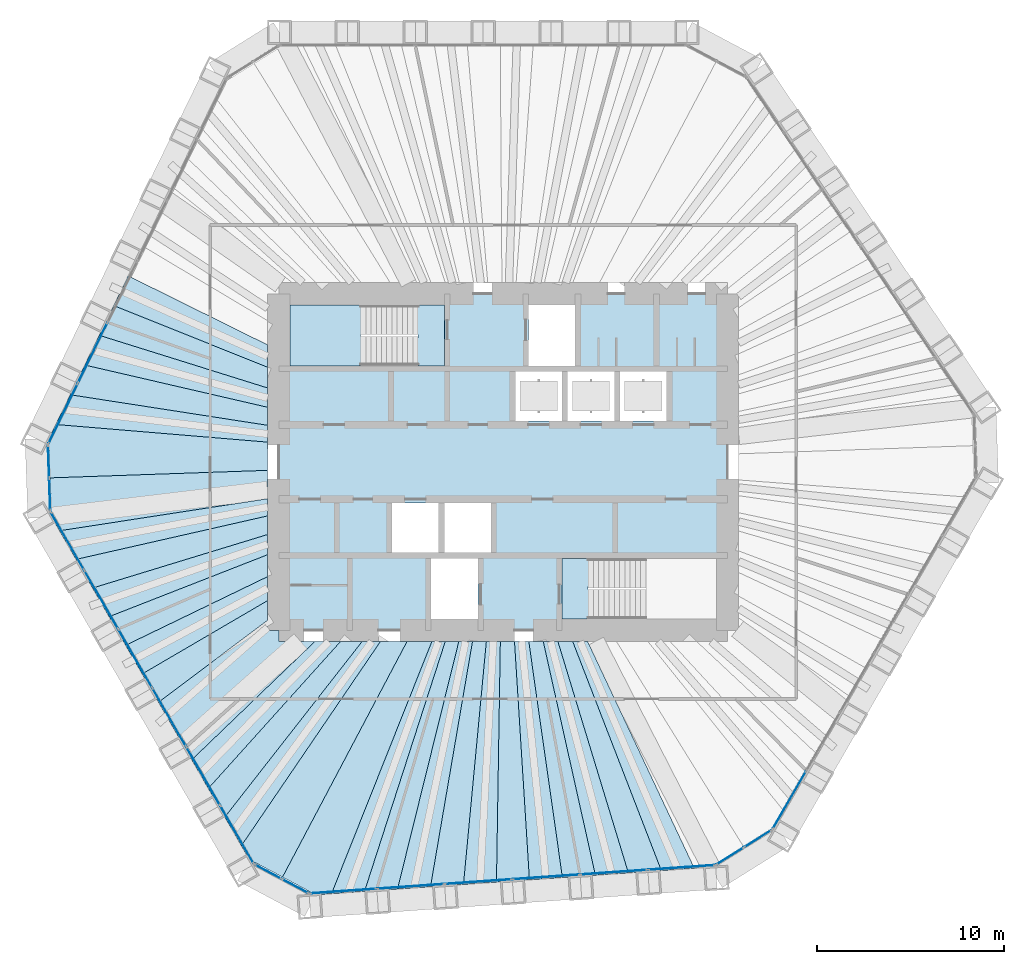
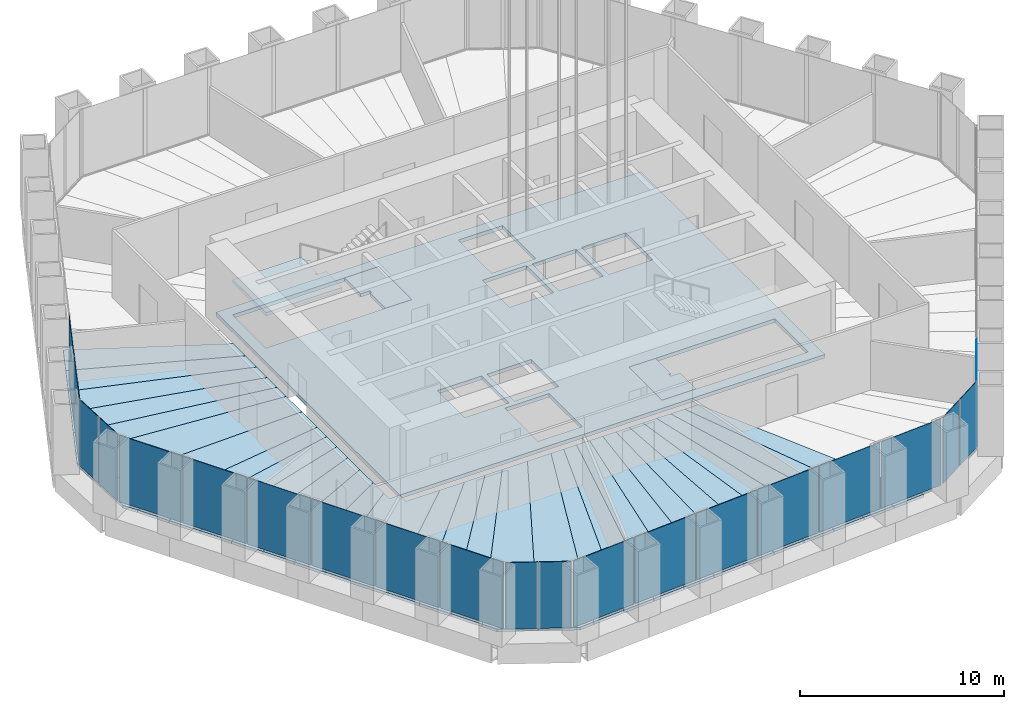
# One storey, part 8 of 20: 34 slabs, 21 plates, 9 elements without a shape of their own.
"""IFC4 building model written with IfcOpenShell, lengths in metres."""

from ifc_helpers import new_model, si_unit, direction, frame, origin, origin_2d, place, context, subcontext, project, spatial, polyline, rectangle, outline, extrude, material, layer, layer_set, type_object, element, aggregate, save


model = new_model("IFC4")

# Units and contexts
model_context = context("Model", 3, precision=1e-05, world=origin(), true_north=direction((0.0, 1.0)))
body_context = subcontext(model_context, "Body", "Model", "MODEL_VIEW")
ifc_project = project(units=[si_unit("LENGTHUNIT", "METRE"), si_unit("AREAUNIT", "SQUARE_METRE"), si_unit("VOLUMEUNIT", "CUBIC_METRE"), si_unit("PLANEANGLEUNIT", "RADIAN"), si_unit("MASSUNIT", "GRAM", prefix="KILO")], contexts=[model_context])

# Site, building, storey
site_placement = place(None, origin())
site = spatial("IfcSite", under=ifc_project, at=site_placement, CompositionType="ELEMENT")
building_placement = place(site_placement, origin())
building = spatial("IfcBuilding", under=site, at=building_placement, Name="Qingtian Harvest Tower", CompositionType="ELEMENT")
storey_placement = place(building_placement, frame((0.0, 0.0, 180.39990234375)))
storey = spatial("IfcBuildingStorey", under=building, at=storey_placement, Name="L38", CompositionType="ELEMENT", Elevation=180.39990234375)

# Slabs
ifc_material_1 = material(Name="Concrete fc' 35 MPa", Category="concrete")
ifc_layer_1 = layer(ifc_material_1, 0.169921875)
ifc_layer_set_1 = layer_set([ifc_layer_1], Name="Composite floor slab FS17 170")
slab_type_1 = type_object("IfcSlabType", Name="Composite floor slab FS17 170", PredefinedType="FLOOR", material=ifc_layer_set_1)
slab_1_placement = place(storey_placement, frame((0.0, 0.0, -0.169921875)))
element("IfcSlab", 1, at=slab_1_placement, inside=storey, type_object=slab_type_1, Name="Floor slab L38 panel D01", PredefinedType="FLOOR", context=body_context, shape_type="SweptSolid", body=[
    extrude(outline(polyline([(-24.233642578125, -0.846435546875), (-12.60009765625, -0.443115234375), (-12.60009765625, -1.958984375), (-23.748046875, -3.677001953125), (-24.15966796875, -2.964111328125), (-24.233642578125, -0.846435546875)])), origin(), (0.0, 0.0, 1.0), 0.169921875),
])
slab_2_placement = place(storey_placement, frame((0.0, 0.0, -0.169921875)))
element("IfcSlab", 2, at=slab_2_placement, inside=storey, type_object=slab_type_1, Name="Floor slab L38 panel D02", PredefinedType="FLOOR", context=body_context, shape_type="SweptSolid", body=[
    extrude(outline(polyline([(-12.60009765625, -2.880126953125), (-22.86328125, -5.209716796875), (-23.748046875, -3.677001953125), (-12.60009765625, -1.958984375), (-12.60009765625, -2.880126953125)])), origin(), (0.0, 0.0, 1.0), 0.169921875),
])
slab_3_placement = place(storey_placement, frame((0.0, 0.0, -0.169921875)))
element("IfcSlab", 3, at=slab_3_placement, inside=storey, type_object=slab_type_1, Name="Floor slab L38 panel D03", PredefinedType="FLOOR", context=body_context, shape_type="SweptSolid", body=[
    extrude(outline(polyline([(-12.60009765625, -3.87548828125), (-21.978271484375, -6.742431640625), (-22.86328125, -5.209716796875), (-12.60009765625, -2.880126953125), (-12.60009765625, -3.87548828125)])), origin(), (0.0, 0.0, 1.0), 0.169921875),
])
slab_4_placement = place(storey_placement, frame((0.0, 0.0, -0.169921875)))
element("IfcSlab", 4, at=slab_4_placement, inside=storey, type_object=slab_type_1, Name="Floor slab L38 panel D04", PredefinedType="FLOOR", context=body_context, shape_type="SweptSolid", body=[
    extrude(outline(polyline([(-12.60009765625, -4.95458984375), (-21.09326171875, -8.275146484375), (-21.978271484375, -6.742431640625), (-12.60009765625, -3.87548828125), (-12.60009765625, -4.95458984375)])), origin(), (0.0, 0.0, 1.0), 0.169921875),
])
slab_5_placement = place(storey_placement, frame((0.0, 0.0, -0.169921875)))
element("IfcSlab", 5, at=slab_5_placement, inside=storey, type_object=slab_type_1, Name="Floor slab L38 panel D05", PredefinedType="FLOOR", context=body_context, shape_type="SweptSolid", body=[
    extrude(outline(polyline([(-12.60009765625, -6.128173828125), (-20.20849609375, -9.80810546875), (-21.09326171875, -8.275146484375), (-12.60009765625, -4.95458984375), (-12.60009765625, -6.128173828125)])), origin(), (0.0, 0.0, 1.0), 0.169921875),
])
slab_6_placement = place(storey_placement, frame((0.0, 0.0, -0.169921875)))
element("IfcSlab", 6, at=slab_6_placement, inside=storey, type_object=slab_type_1, Name="Floor slab L38 panel D06", PredefinedType="FLOOR", context=body_context, shape_type="SweptSolid", body=[
    extrude(outline(polyline([(-12.60009765625, -7.409423828125), (-19.323486328125, -11.3408203125), (-20.20849609375, -9.80810546875), (-12.60009765625, -6.128173828125), (-12.60009765625, -7.409423828125)])), origin(), (0.0, 0.0, 1.0), 0.169921875),
])
slab_7_placement = place(storey_placement, frame((0.0, 0.0, -0.169921875)))
element("IfcSlab", 7, at=slab_7_placement, inside=storey, type_object=slab_type_1, Name="Floor slab L38 panel D07", PredefinedType="FLOOR", context=body_context, shape_type="SweptSolid", body=[
    extrude(outline(polyline([(-12.60009765625, -8.46435546875), (-18.449462890625, -12.854736328125), (-19.323486328125, -11.3408203125), (-12.60009765625, -7.409423828125), (-12.60009765625, -8.46435546875)])), origin(), (0.0, 0.0, 1.0), 0.169921875),
])
slab_8_placement = place(storey_placement, frame((0.0, 0.0, -0.169921875)))
element("IfcSlab", 8, at=slab_8_placement, inside=storey, type_object=slab_type_1, Name="Floor slab L38 panel D09", PredefinedType="FLOOR", context=body_context, shape_type="SweptSolid", body=[
    extrude(outline(polyline([(-16.670166015625, -15.9365234375), (-18.449462890625, -12.854736328125), (-12.60009765625, -8.46435546875), (-12.60009765625, -9.0), (-12.0, -9.0), (-12.0, -9.60009765625), (-10.07666015625, -9.60009765625), (-16.670166015625, -15.9365234375)])), origin(), (0.0, 0.0, 1.0), 0.169921875),
])
slab_9_placement = place(storey_placement, frame((0.0, 0.0, -0.169921875)))
element("IfcSlab", 9, at=slab_9_placement, inside=storey, type_object=slab_type_1, Name="Floor slab L38 panel D10", PredefinedType="FLOOR", context=body_context, shape_type="SweptSolid", body=[
    extrude(outline(polyline([(-8.700927734375, -9.60009765625), (-15.784912109375, -17.4697265625), (-16.670166015625, -15.9365234375), (-10.07666015625, -9.60009765625), (-8.700927734375, -9.60009765625)])), origin(), (0.0, 0.0, 1.0), 0.169921875),
])
slab_10_placement = place(storey_placement, frame((0.0, 0.0, -0.169921875)))
element("IfcSlab", 10, at=slab_10_placement, inside=storey, type_object=slab_type_1, Name="Floor slab L38 panel D11", PredefinedType="FLOOR", context=body_context, shape_type="SweptSolid", body=[
    extrude(outline(polyline([(-7.548095703125, -9.60009765625), (-14.89990234375, -19.00244140625), (-15.784912109375, -17.4697265625), (-8.700927734375, -9.60009765625), (-7.548095703125, -9.60009765625)])), origin(), (0.0, 0.0, 1.0), 0.169921875),
])
slab_11_placement = place(storey_placement, frame((0.0, 0.0, -0.169921875)))
element("IfcSlab", 11, at=slab_11_placement, inside=storey, type_object=slab_type_1, Name="Floor slab L38 panel D12", PredefinedType="FLOOR", context=body_context, shape_type="SweptSolid", body=[
    extrude(outline(polyline([(-6.568359375, -9.60009765625), (-14.014892578125, -20.535400390625), (-14.89990234375, -19.00244140625), (-7.548095703125, -9.60009765625), (-6.568359375, -9.60009765625)])), origin(), (0.0, 0.0, 1.0), 0.169921875),
])
slab_12_placement = place(storey_placement, frame((0.0, 0.0, -0.169921875)))
element("IfcSlab", 12, at=slab_12_placement, inside=storey, type_object=slab_type_1, Name="Floor slab L38 panel D13", PredefinedType="FLOOR", context=body_context, shape_type="SweptSolid", body=[
    extrude(outline(polyline([(-6.568359375, -9.60009765625), (-5.14501953125, -9.60009765625), (-11.8076171875, -22.203369140625), (-13.603271484375, -21.24853515625), (-14.014892578125, -20.535400390625), (-6.568359375, -9.60009765625)])), origin(), (0.0, 0.0, 1.0), 0.169921875),
])
slab_13_placement = place(storey_placement, frame((0.0, 0.0, -0.169921875)))
element("IfcSlab", 13, at=slab_13_placement, inside=storey, type_object=slab_type_1, Name="Floor slab L38 panel D14", PredefinedType="FLOOR", context=body_context, shape_type="SweptSolid", body=[
    extrude(outline(polyline([(-5.14501953125, -9.60009765625), (-3.817138671875, -9.60009765625), (-9.188232421875, -23.102294921875), (-10.009033203125, -23.15966796875), (-11.8076171875, -22.203369140625), (-5.14501953125, -9.60009765625)])), origin(), (0.0, 0.0, 1.0), 0.169921875),
])
slab_14_placement = place(storey_placement, frame((0.0, 0.0, -0.169921875)))
element("IfcSlab", 14, at=slab_14_placement, inside=storey, type_object=slab_type_1, Name="Floor slab L38 panel D15", PredefinedType="FLOOR", context=body_context, shape_type="SweptSolid", body=[
    extrude(outline(polyline([(-3.10009765625, -9.60009765625), (-7.4228515625, -22.978759765625), (-9.188232421875, -23.102294921875), (-3.817138671875, -9.60009765625), (-3.10009765625, -9.60009765625)])), origin(), (0.0, 0.0, 1.0), 0.169921875),
])
slab_15_placement = place(storey_placement, frame((0.0, 0.0, -0.169921875)))
element("IfcSlab", 15, at=slab_15_placement, inside=storey, type_object=slab_type_1, Name="Floor slab L38 panel D16", PredefinedType="FLOOR", context=body_context, shape_type="SweptSolid", body=[
    extrude(outline(polyline([(-2.375244140625, -9.60009765625), (-5.6572265625, -22.855224609375), (-7.4228515625, -22.978759765625), (-3.10009765625, -9.60009765625), (-2.375244140625, -9.60009765625)])), origin(), (0.0, 0.0, 1.0), 0.169921875),
])
slab_16_placement = place(storey_placement, frame((0.0, 0.0, -0.169921875)))
element("IfcSlab", 16, at=slab_16_placement, inside=storey, type_object=slab_type_1, Name="Floor slab L38 panel D17", PredefinedType="FLOOR", context=body_context, shape_type="SweptSolid", body=[
    extrude(outline(polyline([(-1.642578125, -9.60009765625), (-3.891845703125, -22.73193359375), (-5.6572265625, -22.855224609375), (-2.375244140625, -9.60009765625), (-1.642578125, -9.60009765625)])), origin(), (0.0, 0.0, 1.0), 0.169921875),
])
slab_17_placement = place(storey_placement, frame((0.0, 0.0, -0.169921875)))
element("IfcSlab", 17, at=slab_17_placement, inside=storey, type_object=slab_type_1, Name="Floor slab L38 panel D18", PredefinedType="FLOOR", context=body_context, shape_type="SweptSolid", body=[
    extrude(outline(polyline([(-0.90185546875, -9.60009765625), (-2.126220703125, -22.6083984375), (-3.891845703125, -22.73193359375), (-1.642578125, -9.60009765625), (-0.90185546875, -9.60009765625)])), origin(), (0.0, 0.0, 1.0), 0.169921875),
])
slab_18_placement = place(storey_placement, frame((0.0, 0.0, -0.169921875)))
element("IfcSlab", 18, at=slab_18_placement, inside=storey, type_object=slab_type_1, Name="Floor slab L38 panel D19", PredefinedType="FLOOR", context=body_context, shape_type="SweptSolid", body=[
    extrude(outline(polyline([(-0.153076171875, -9.60009765625), (-0.36083984375, -22.48486328125), (-2.126220703125, -22.6083984375), (-0.90185546875, -9.60009765625), (-0.153076171875, -9.60009765625)])), origin(), (0.0, 0.0, 1.0), 0.169921875),
])
slab_19_placement = place(storey_placement, frame((0.0, 0.0, -0.169921875)))
element("IfcSlab", 19, at=slab_19_placement, inside=storey, type_object=slab_type_1, Name="Floor slab L38 panel D20", PredefinedType="FLOOR", context=body_context, shape_type="SweptSolid", body=[
    extrude(outline(polyline([(0.60400390625, -9.60009765625), (1.404541015625, -22.361572265625), (-0.36083984375, -22.48486328125), (-0.153076171875, -9.60009765625), (0.60400390625, -9.60009765625)])), origin(), (0.0, 0.0, 1.0), 0.169921875),
])
slab_20_placement = place(storey_placement, frame((0.0, 0.0, -0.169921875)))
element("IfcSlab", 20, at=slab_20_placement, inside=storey, type_object=slab_type_1, Name="Floor slab L38 panel D21", PredefinedType="FLOOR", context=body_context, shape_type="SweptSolid", body=[
    extrude(outline(polyline([(1.36962890625, -9.60009765625), (3.170166015625, -22.238037109375), (1.404541015625, -22.361572265625), (0.60400390625, -9.60009765625), (1.36962890625, -9.60009765625)])), origin(), (0.0, 0.0, 1.0), 0.169921875),
])
slab_21_placement = place(storey_placement, frame((0.0, 0.0, -0.169921875)))
element("IfcSlab", 21, at=slab_21_placement, inside=storey, type_object=slab_type_1, Name="Floor slab L38 panel D22", PredefinedType="FLOOR", context=body_context, shape_type="SweptSolid", body=[
    extrude(outline(polyline([(2.1435546875, -9.60009765625), (4.935546875, -22.114501953125), (3.170166015625, -22.238037109375), (1.36962890625, -9.60009765625), (2.1435546875, -9.60009765625)])), origin(), (0.0, 0.0, 1.0), 0.169921875),
])
slab_22_placement = place(storey_placement, frame((0.0, 0.0, -0.169921875)))
element("IfcSlab", 22, at=slab_22_placement, inside=storey, type_object=slab_type_1, Name="Floor slab L38 panel D23", PredefinedType="FLOOR", context=body_context, shape_type="SweptSolid", body=[
    extrude(outline(polyline([(2.92626953125, -9.60009765625), (6.700927734375, -21.9912109375), (4.935546875, -22.114501953125), (2.1435546875, -9.60009765625), (2.92626953125, -9.60009765625)])), origin(), (0.0, 0.0, 1.0), 0.169921875),
])
slab_23_placement = place(storey_placement, frame((0.0, 0.0, -0.169921875)))
element("IfcSlab", 23, at=slab_23_placement, inside=storey, type_object=slab_type_1, Name="Floor slab L38 panel D24", PredefinedType="FLOOR", context=body_context, shape_type="SweptSolid", body=[
    extrude(outline(polyline([(3.718017578125, -9.60009765625), (8.466552734375, -21.86767578125), (6.700927734375, -21.9912109375), (2.92626953125, -9.60009765625), (3.718017578125, -9.60009765625)])), origin(), (0.0, 0.0, 1.0), 0.169921875),
])
slab_24_placement = place(storey_placement, frame((0.0, 0.0, -0.169921875)))
element("IfcSlab", 24, at=slab_24_placement, inside=storey, type_object=slab_type_1, Name="Floor slab L38 panel D25", PredefinedType="FLOOR", context=body_context, shape_type="SweptSolid", body=[
    extrude(outline(polyline([(4.5185546875, -9.60009765625), (10.23193359375, -21.744140625), (8.466552734375, -21.86767578125), (3.718017578125, -9.60009765625), (4.5185546875, -9.60009765625)])), origin(), (0.0, 0.0, 1.0), 0.169921875),
])
slab_25_placement = place(storey_placement, frame((0.0, 0.0, -0.169921875)))
element("IfcSlab", 25, at=slab_25_placement, inside=storey, type_object=slab_type_1, Name="Floor slab L38 panel D73", PredefinedType="FLOOR", context=body_context, shape_type="SweptSolid", body=[
    extrude(outline(polyline([(-12.60009765625, 5.072509765625), (-20.843505859375, 8.374267578125), (-20.067626953125, 9.965087890625), (-12.60009765625, 6.268310546875), (-12.60009765625, 5.072509765625)])), origin(), (0.0, 0.0, 1.0), 0.169921875),
])
slab_26_placement = place(storey_placement, frame((0.0, 0.0, -0.169921875)))
element("IfcSlab", 26, at=slab_26_placement, inside=storey, type_object=slab_type_1, Name="Floor slab L38 panel D74", PredefinedType="FLOOR", context=body_context, shape_type="SweptSolid", body=[
    extrude(outline(polyline([(-12.60009765625, 3.962890625), (-21.619384765625, 6.783447265625), (-20.843505859375, 8.374267578125), (-12.60009765625, 5.072509765625), (-12.60009765625, 3.962890625)])), origin(), (0.0, 0.0, 1.0), 0.169921875),
])
slab_27_placement = place(storey_placement, frame((0.0, 0.0, -0.169921875)))
element("IfcSlab", 27, at=slab_27_placement, inside=storey, type_object=slab_type_1, Name="Floor slab L38 panel D75", PredefinedType="FLOOR", context=body_context, shape_type="SweptSolid", body=[
    extrude(outline(polyline([(-12.60009765625, 2.929931640625), (-22.39501953125, 5.19287109375), (-21.619384765625, 6.783447265625), (-12.60009765625, 3.962890625), (-12.60009765625, 2.929931640625)])), origin(), (0.0, 0.0, 1.0), 0.169921875),
])
slab_28_placement = place(storey_placement, frame((0.0, 0.0, -0.169921875)))
element("IfcSlab", 28, at=slab_28_placement, inside=storey, type_object=slab_type_1, Name="Floor slab L38 panel D76", PredefinedType="FLOOR", context=body_context, shape_type="SweptSolid", body=[
    extrude(outline(polyline([(-12.60009765625, 1.96630859375), (-23.1708984375, 3.60205078125), (-22.39501953125, 5.19287109375), (-12.60009765625, 2.929931640625), (-12.60009765625, 1.96630859375)])), origin(), (0.0, 0.0, 1.0), 0.169921875),
])
slab_29_placement = place(storey_placement, frame((0.0, 0.0, -0.169921875)))
element("IfcSlab", 29, at=slab_29_placement, inside=storey, type_object=slab_type_1, Name="Floor slab L38 panel D77", PredefinedType="FLOOR", context=body_context, shape_type="SweptSolid", body=[
    extrude(outline(polyline([(-12.60009765625, 1.065185546875), (-23.94677734375, 2.011474609375), (-23.1708984375, 3.60205078125), (-12.60009765625, 1.96630859375), (-12.60009765625, 1.065185546875)])), origin(), (0.0, 0.0, 1.0), 0.169921875),
])
slab_30_placement = place(storey_placement, frame((0.0, 0.0, -0.169921875)))
element("IfcSlab", 30, at=slab_30_placement, inside=storey, type_object=slab_type_1, Name="Floor slab L38 panel D78", PredefinedType="FLOOR", context=body_context, shape_type="SweptSolid", body=[
    extrude(outline(polyline([(-12.60009765625, 1.065185546875), (-12.60009765625, -0.443115234375), (-24.233642578125, -0.846435546875), (-24.3076171875, 1.271484375), (-23.94677734375, 2.011474609375), (-12.60009765625, 1.065185546875)])), origin(), (0.0, 0.0, 1.0), 0.169921875),
])
ifc_material_2 = material(Name="Concrete fc' 35 MPa", Category="concrete")
ifc_layer_2 = layer(ifc_material_2, 0.219970703125)
ifc_layer_set_2 = layer_set([ifc_layer_2], Name="Core floor slab CS22 220")
slab_type_2 = type_object("IfcSlabType", Name="Core floor slab CS22 220", PredefinedType="FLOOR", material=ifc_layer_set_2)
slab_31_placement = place(storey_placement, frame((0.0, 0.0, -0.219970703125)))
element("IfcSlab", 31, at=slab_31_placement, inside=storey, type_object=slab_type_2, Name="Core floor slab L38", PredefinedType="FLOOR", context=body_context, shape_type="SweptSolid", body=[
    extrude(outline(polyline([(-12.0, -9.0), (12.0, -9.0), (12.0, 9.0), (-12.0, 9.0), (-12.0, -9.0)]), holes=[polyline([(-11.39990234375, 5.14990234375), (-3.14990234375, 5.14990234375), (-3.14990234375, 8.39990234375), (-11.39990234375, 8.39990234375), (-11.39990234375, 5.14990234375)]), polyline([(3.14990234375, -8.39990234375), (11.39990234375, -8.39990234375), (11.39990234375, -5.14990234375), (3.14990234375, -5.14990234375), (3.14990234375, -8.39990234375)]), polyline([(1.35009765625, 5.14990234375), (3.85009765625, 5.14990234375), (3.85009765625, 8.39990234375), (1.35009765625, 8.39990234375), (1.35009765625, 5.14990234375)]), polyline([(-3.85009765625, -8.39990234375), (-1.35009765625, -8.39990234375), (-1.35009765625, -5.14990234375), (-3.85009765625, -5.14990234375), (-3.85009765625, -8.39990234375)]), polyline([(0.64990234375, 2.199951171875), (3.14990234375, 2.199951171875), (3.14990234375, 4.85009765625), (0.64990234375, 4.85009765625), (0.64990234375, 2.199951171875)]), polyline([(3.449951171875, 2.199951171875), (5.949951171875, 2.199951171875), (5.949951171875, 4.85009765625), (3.449951171875, 4.85009765625), (3.449951171875, 2.199951171875)]), polyline([(6.25, 2.199951171875), (8.75, 2.199951171875), (8.75, 4.85009765625), (6.25, 4.85009765625), (6.25, 2.199951171875)]), polyline([(-5.949951171875, -4.85009765625), (-3.449951171875, -4.85009765625), (-3.449951171875, -2.199951171875), (-5.949951171875, -2.199951171875), (-5.949951171875, -4.85009765625)]), polyline([(-3.14990234375, -4.85009765625), (-0.64990234375, -4.85009765625), (-0.64990234375, -2.199951171875), (-3.14990234375, -2.199951171875), (-3.14990234375, -4.85009765625)])]), origin(), (0.0, 0.0, 1.0), 0.219970703125),
])

# Curtain wall, plate
ifc_material_3 = material(Name="Bronze-anodised aluminium curtain wall", Category="aluminium")
curtain_wall_type = type_object("IfcCurtainWallType", Name="Curtain wall CW3 sky lobby", PredefinedType="USERDEFINED", material=ifc_material_3)
curtain_wall_1_placement = place(storey_placement, origin())
curtain_wall_1 = element("IfcCurtainWall", 32, at=curtain_wall_1_placement, inside=storey, type_object=curtain_wall_type, Name="Curtain wall CW3 L38 SE0-5", ObjectType="RECESSED CURTAIN WALL", PredefinedType="USERDEFINED")
ifc_material_4 = material(Name="Bronze-tinted laminated insulating glass", Category="glass")
ifc_layer_3 = layer(ifc_material_4, 0.030029296875)
ifc_layer_set_3 = layer_set([ifc_layer_3], Name="Glazed panel CWP tinted IGU")
plate_type = type_object("IfcPlateType", Name="Glazed panel CWP tinted IGU", PredefinedType="CURTAIN_PANEL", material=ifc_layer_set_3)
plate_1_placement = place(storey_placement, frame((15.314208984375, -18.074951171875, 0.06494140625), z_axis=(0.0, 0.0, 1.0), x_axis=(-0.5, -0.866025403784, 0.0)))
plate_1 = element("IfcPlate", 33, at=plate_1_placement, type_object=plate_type, Name="CW3 panel 6.1", PredefinedType="CURTAIN_PANEL", context=body_context, shape_type="SweptSolid", body=[
    extrude(rectangle(XDim=3.5361328125, YDim=0.030029296875, at=origin_2d()), origin(), (0.0, 0.0, 1.0), 3.965087890625),
])
aggregate(curtain_wall_1, [plate_1])

# Curtain wall, plates
curtain_wall_2_placement = place(storey_placement, origin())
curtain_wall_2 = element("IfcCurtainWall", 34, at=curtain_wall_2_placement, inside=storey, type_object=curtain_wall_type, Name="Curtain wall CW3 L38 SEC", ObjectType="RECESSED CURTAIN WALL", PredefinedType="USERDEFINED")
plate_2_placement = place(storey_placement, frame((13.624755859375, -20.1455078125, 0.06494140625), z_axis=(0.0, 0.0, 1.0), x_axis=(-0.848048096156, -0.529919264233, 0.0)))
plate_2 = element("IfcPlate", 35, at=plate_2_placement, type_object=plate_type, Name="CW3 panel 1.1", PredefinedType="CURTAIN_PANEL", context=body_context, shape_type="SweptSolid", body=[
    extrude(rectangle(XDim=1.69287109375, YDim=0.030029296875, at=origin_2d()), origin(), (0.0, 0.0, 1.0), 3.965087890625),
])
plate_3_placement = place(storey_placement, frame((12.134033203125, -21.076904296875, 0.06494140625), z_axis=(0.0, 0.0, 1.0), x_axis=(-0.848048096156, -0.529919264233, 0.0)))
plate_3 = element("IfcPlate", 36, at=plate_3_placement, type_object=plate_type, Name="CW3 panel 2.1", PredefinedType="CURTAIN_PANEL", context=body_context, shape_type="SweptSolid", body=[
    extrude(rectangle(XDim=1.69287109375, YDim=0.030029296875, at=origin_2d()), origin(), (0.0, 0.0, 1.0), 3.965087890625),
])
aggregate(curtain_wall_2, [plate_2, plate_3])

curtain_wall_3_placement = place(storey_placement, origin())
curtain_wall_3 = element("IfcCurtainWall", 37, at=curtain_wall_3_placement, inside=storey, type_object=curtain_wall_type, Name="Curtain wall CW3 L38 S0-5", ObjectType="RECESSED CURTAIN WALL", PredefinedType="USERDEFINED")
plate_4_placement = place(storey_placement, frame((9.532470703125, -21.68798828125, 0.06494140625), z_axis=(0.0, 0.0, 1.0), x_axis=(-0.99756405026, -0.069756473744, 0.0)))
plate_4 = element("IfcPlate", 38, at=plate_4_placement, type_object=plate_type, Name="CW3 panel 1.1", PredefinedType="CURTAIN_PANEL", context=body_context, shape_type="SweptSolid", body=[
    extrude(rectangle(XDim=3.5361328125, YDim=0.030029296875, at=origin_2d()), origin(), (0.0, 0.0, 1.0), 3.965087890625),
])
plate_5_placement = place(storey_placement, frame((5.923828125, -21.940185546875, 0.06494140625), z_axis=(0.0, 0.0, 1.0), x_axis=(-0.99756405026, -0.069756473744, 0.0)))
plate_5 = element("IfcPlate", 39, at=plate_5_placement, type_object=plate_type, Name="CW3 panel 2.1", PredefinedType="CURTAIN_PANEL", context=body_context, shape_type="SweptSolid", body=[
    extrude(rectangle(XDim=3.568603515625, YDim=0.030029296875, at=origin_2d()), origin(), (0.0, 0.0, 1.0), 3.965087890625),
])
plate_6_placement = place(storey_placement, frame((2.299072265625, -22.193603515625, 0.06494140625), z_axis=(0.0, 0.0, 1.0), x_axis=(-0.99756405026, -0.069756473744, 0.0)))
plate_6 = element("IfcPlate", 40, at=plate_6_placement, type_object=plate_type, Name="CW3 panel 3.1", PredefinedType="CURTAIN_PANEL", context=body_context, shape_type="SweptSolid", body=[
    extrude(rectangle(XDim=3.568603515625, YDim=0.030029296875, at=origin_2d()), origin(), (0.0, 0.0, 1.0), 3.965087890625),
])
plate_7_placement = place(storey_placement, frame((-1.325439453125, -22.447021484375, 0.06494140625), z_axis=(0.0, 0.0, 1.0), x_axis=(-0.99756405026, -0.069756473744, 0.0)))
plate_7 = element("IfcPlate", 41, at=plate_7_placement, type_object=plate_type, Name="CW3 panel 4.1", PredefinedType="CURTAIN_PANEL", context=body_context, shape_type="SweptSolid", body=[
    extrude(rectangle(XDim=3.568603515625, YDim=0.030029296875, at=origin_2d()), origin(), (0.0, 0.0, 1.0), 3.965087890625),
])
plate_8_placement = place(storey_placement, frame((-4.9501953125, -22.70068359375, 0.06494140625), z_axis=(0.0, 0.0, 1.0), x_axis=(-0.99756405026, -0.069756473744, 0.0)))
plate_8 = element("IfcPlate", 42, at=plate_8_placement, type_object=plate_type, Name="CW3 panel 5.1", PredefinedType="CURTAIN_PANEL", context=body_context, shape_type="SweptSolid", body=[
    extrude(rectangle(XDim=3.568603515625, YDim=0.030029296875, at=origin_2d()), origin(), (0.0, 0.0, 1.0), 3.965087890625),
])
plate_9_placement = place(storey_placement, frame((-8.55859375, -22.952880859375, 0.06494140625), z_axis=(0.0, 0.0, 1.0), x_axis=(-0.99756405026, -0.069756473744, 0.0)))
plate_9 = element("IfcPlate", 43, at=plate_9_placement, type_object=plate_type, Name="CW3 panel 6.1", PredefinedType="CURTAIN_PANEL", context=body_context, shape_type="SweptSolid", body=[
    extrude(rectangle(XDim=3.5361328125, YDim=0.030029296875, at=origin_2d()), origin(), (0.0, 0.0, 1.0), 3.965087890625),
])
aggregate(curtain_wall_3, [plate_4, plate_5, plate_6, plate_7, plate_8, plate_9])

curtain_wall_4_placement = place(storey_placement, origin())
curtain_wall_4 = element("IfcCurtainWall", 44, at=curtain_wall_4_placement, inside=storey, type_object=curtain_wall_type, Name="Curtain wall CW3 L38 SC", ObjectType="RECESSED CURTAIN WALL", PredefinedType="USERDEFINED")
plate_10_placement = place(storey_placement, frame((-11.136474609375, -22.682373046875, 0.06494140625), z_axis=(0.0, 0.0, 1.0), x_axis=(-0.882947592859, 0.469471562786, 0.0)))
plate_10 = element("IfcPlate", 45, at=plate_10_placement, type_object=plate_type, Name="CW3 panel 1.1", PredefinedType="CURTAIN_PANEL", context=body_context, shape_type="SweptSolid", body=[
    extrude(rectangle(XDim=1.56689453125, YDim=0.030029296875, at=origin_2d()), origin(), (0.0, 0.0, 1.0), 3.965087890625),
])
plate_11_placement = place(storey_placement, frame((-12.5771484375, -21.916259765625, 0.06494140625), z_axis=(0.0, 0.0, 1.0), x_axis=(-0.882947592859, 0.469471562786, 0.0)))
plate_11 = element("IfcPlate", 46, at=plate_11_placement, type_object=plate_type, Name="CW3 panel 2.1", PredefinedType="CURTAIN_PANEL", context=body_context, shape_type="SweptSolid", body=[
    extrude(rectangle(XDim=1.56689453125, YDim=0.030029296875, at=origin_2d()), origin(), (0.0, 0.0, 1.0), 3.965087890625),
])
aggregate(curtain_wall_4, [plate_10, plate_11])

curtain_wall_5_placement = place(storey_placement, origin())
curtain_wall_5 = element("IfcCurtainWall", 47, at=curtain_wall_5_placement, inside=storey, type_object=curtain_wall_type, Name="Curtain wall CW3 L38 SW0-5", ObjectType="RECESSED CURTAIN WALL", PredefinedType="USERDEFINED")
plate_12_placement = place(storey_placement, frame((-14.242919921875, -19.9306640625, 0.06494140625), z_axis=(0.0, 0.0, 1.0), x_axis=(-0.5, 0.866025403784, 0.0)))
plate_12 = element("IfcPlate", 48, at=plate_12_placement, type_object=plate_type, Name="CW3 panel 1.1", PredefinedType="CURTAIN_PANEL", context=body_context, shape_type="SweptSolid", body=[
    extrude(rectangle(XDim=3.5361328125, YDim=0.030029296875, at=origin_2d()), origin(), (0.0, 0.0, 1.0), 3.965087890625),
])
plate_13_placement = place(storey_placement, frame((-16.051513671875, -16.7978515625, 0.06494140625), z_axis=(0.0, 0.0, 1.0), x_axis=(-0.5, 0.866025403784, 0.0)))
plate_13 = element("IfcPlate", 49, at=plate_13_placement, type_object=plate_type, Name="CW3 panel 2.1", PredefinedType="CURTAIN_PANEL", context=body_context, shape_type="SweptSolid", body=[
    extrude(rectangle(XDim=3.568603515625, YDim=0.030029296875, at=origin_2d()), origin(), (0.0, 0.0, 1.0), 3.965087890625),
])
plate_14_placement = place(storey_placement, frame((-17.868408203125, -13.651123046875, 0.06494140625), z_axis=(0.0, 0.0, 1.0), x_axis=(-0.5, 0.866025403784, 0.0)))
plate_14 = element("IfcPlate", 50, at=plate_14_placement, type_object=plate_type, Name="CW3 panel 3.1", PredefinedType="CURTAIN_PANEL", context=body_context, shape_type="SweptSolid", body=[
    extrude(rectangle(XDim=3.568603515625, YDim=0.030029296875, at=origin_2d()), origin(), (0.0, 0.0, 1.0), 3.965087890625),
])
plate_15_placement = place(storey_placement, frame((-19.68505859375, -10.50439453125, 0.06494140625), z_axis=(0.0, 0.0, 1.0), x_axis=(-0.5, 0.866025403784, 0.0)))
plate_15 = element("IfcPlate", 51, at=plate_15_placement, type_object=plate_type, Name="CW3 panel 4.1", PredefinedType="CURTAIN_PANEL", context=body_context, shape_type="SweptSolid", body=[
    extrude(rectangle(XDim=3.568603515625, YDim=0.030029296875, at=origin_2d()), origin(), (0.0, 0.0, 1.0), 3.965087890625),
])
plate_16_placement = place(storey_placement, frame((-21.501953125, -7.357666015625, 0.06494140625), z_axis=(0.0, 0.0, 1.0), x_axis=(-0.5, 0.866025403784, 0.0)))
plate_16 = element("IfcPlate", 52, at=plate_16_placement, type_object=plate_type, Name="CW3 panel 5.1", PredefinedType="CURTAIN_PANEL", context=body_context, shape_type="SweptSolid", body=[
    extrude(rectangle(XDim=3.568603515625, YDim=0.030029296875, at=origin_2d()), origin(), (0.0, 0.0, 1.0), 3.965087890625),
])
plate_17_placement = place(storey_placement, frame((-23.310546875, -4.22509765625, 0.06494140625), z_axis=(0.0, 0.0, 1.0), x_axis=(-0.5, 0.866025403784, 0.0)))
plate_17 = element("IfcPlate", 53, at=plate_17_placement, type_object=plate_type, Name="CW3 panel 6.1", PredefinedType="CURTAIN_PANEL", context=body_context, shape_type="SweptSolid", body=[
    extrude(rectangle(XDim=3.5361328125, YDim=0.030029296875, at=origin_2d()), origin(), (0.0, 0.0, 1.0), 3.965087890625),
])
aggregate(curtain_wall_5, [plate_12, plate_13, plate_14, plate_15, plate_16, plate_17])

curtain_wall_6_placement = place(storey_placement, origin())
curtain_wall_6 = element("IfcCurtainWall", 54, at=curtain_wall_6_placement, inside=storey, type_object=curtain_wall_type, Name="Curtain wall CW3 L38 SWC", ObjectType="RECESSED CURTAIN WALL", PredefinedType="USERDEFINED")
plate_18_placement = place(storey_placement, frame((-24.2587890625, -1.7265625, 0.06494140625), z_axis=(0.0, 0.0, 1.0), x_axis=(-0.034899496703, 0.999390827019, 0.0)))
plate_18 = element("IfcPlate", 55, at=plate_18_placement, type_object=plate_type, Name="CW3 panel 1.1", PredefinedType="CURTAIN_PANEL", context=body_context, shape_type="SweptSolid", body=[
    extrude(rectangle(XDim=1.69287109375, YDim=0.030029296875, at=origin_2d()), origin(), (0.0, 0.0, 1.0), 3.965087890625),
])
plate_19_placement = place(storey_placement, frame((-24.320068359375, 0.0302734375, 0.06494140625), z_axis=(0.0, 0.0, 1.0), x_axis=(-0.034899496703, 0.999390827019, 0.0)))
plate_19 = element("IfcPlate", 56, at=plate_19_placement, type_object=plate_type, Name="CW3 panel 2.1", PredefinedType="CURTAIN_PANEL", context=body_context, shape_type="SweptSolid", body=[
    extrude(rectangle(XDim=1.69287109375, YDim=0.030029296875, at=origin_2d()), origin(), (0.0, 0.0, 1.0), 3.965087890625),
])
aggregate(curtain_wall_6, [plate_18, plate_19])

curtain_wall_7_placement = place(storey_placement, origin())
curtain_wall_7 = element("IfcCurtainWall", 57, at=curtain_wall_7_placement, inside=storey, type_object=curtain_wall_type, Name="Curtain wall CW3 L38 NW0-5", ObjectType="RECESSED CURTAIN WALL", PredefinedType="USERDEFINED")
plate_20_placement = place(storey_placement, frame((-23.54833984375, 2.588623046875, 0.06494140625), z_axis=(0.0, 0.0, 1.0), x_axis=(0.438371146789, 0.898794046299, 0.0)))
plate_20 = element("IfcPlate", 58, at=plate_20_placement, type_object=plate_type, Name="CW3 panel 1.1", PredefinedType="CURTAIN_PANEL", context=body_context, shape_type="SweptSolid", body=[
    extrude(rectangle(XDim=3.5361328125, YDim=0.030029296875, at=origin_2d()), origin(), (0.0, 0.0, 1.0), 3.965087890625),
])
plate_21_placement = place(storey_placement, frame((-21.962646484375, 5.83984375, 0.06494140625), z_axis=(0.0, 0.0, 1.0), x_axis=(0.438371146789, 0.898794046299, 0.0)))
plate_21 = element("IfcPlate", 59, at=plate_21_placement, type_object=plate_type, Name="CW3 panel 2.1", PredefinedType="CURTAIN_PANEL", context=body_context, shape_type="SweptSolid", body=[
    extrude(rectangle(XDim=3.568603515625, YDim=0.030029296875, at=origin_2d()), origin(), (0.0, 0.0, 1.0), 3.965087890625),
])
aggregate(curtain_wall_7, [plate_20, plate_21])

# Stair, slabs
ifc_material_5 = material(Name="Concrete fc' 35 MPa", Category="concrete")
stair_type = type_object("IfcStairType", Name="Special stair ST4 4200", PredefinedType="HALF_TURN_STAIR", material=ifc_material_5)
stair_1_placement = place(storey_placement, origin())
stair_1 = element("IfcStair", 60, at=stair_1_placement, inside=storey, type_object=stair_type, Name="Special stair S1 L38", PredefinedType="HALF_TURN_STAIR")
ifc_material_6 = material(Name="Concrete fc' 35 MPa", Category="concrete")
ifc_layer_4 = layer(ifc_material_6, 0.199951171875)
ifc_layer_set_4 = layer_set([ifc_layer_4], Name="Stair landing SL2 200")
slab_type_3 = type_object("IfcSlabType", Name="Stair landing SL2 200", PredefinedType="LANDING", material=ifc_layer_set_4)
slab_32_placement = place(storey_placement, frame((0.0, 0.0, -0.199951171875)))
slab_32 = element("IfcSlab", 61, at=slab_32_placement, type_object=slab_type_3, Name="S1 landing 1", PredefinedType="LANDING", context=body_context, shape_type="SweptSolid", body=[
    extrude(outline(polyline([(-4.64990234375, 5.14990234375), (-4.64990234375, 6.64990234375), (-4.550048828125, 6.64990234375), (-4.550048828125, 6.824951171875), (-5.0849609375, 6.824951171875), (-5.0849609375, 8.39990234375), (-3.14990234375, 8.39990234375), (-3.14990234375, 5.14990234375), (-4.64990234375, 5.14990234375)])), origin(), (0.0, 0.0, 1.0), 0.199951171875),
])
slab_33_placement = place(storey_placement, frame((0.0, 0.0, 1.900146484375)))
slab_33 = element("IfcSlab", 62, at=slab_33_placement, type_object=slab_type_3, Name="S1 landing 2", PredefinedType="LANDING", context=body_context, shape_type="SweptSolid", body=[
    extrude(outline(polyline([(-7.094970703125, 5.14990234375), (-11.39990234375, 5.14990234375), (-11.39990234375, 8.39990234375), (-7.530029296875, 8.39990234375), (-7.530029296875, 6.824951171875), (-7.6298828125, 6.824951171875), (-7.6298828125, 6.72509765625), (-7.094970703125, 6.72509765625), (-7.094970703125, 5.14990234375)])), origin(), (0.0, 0.0, 1.0), 0.199951171875),
])
aggregate(stair_1, [slab_32, slab_33])

# Stair, slab
stair_2_placement = place(storey_placement, origin())
stair_2 = element("IfcStair", 63, at=stair_2_placement, inside=storey, type_object=stair_type, Name="Special stair S2 L38", PredefinedType="HALF_TURN_STAIR")
slab_34_placement = place(storey_placement, frame((0.0, 0.0, -0.199951171875)))
slab_34 = element("IfcSlab", 64, at=slab_34_placement, type_object=slab_type_3, Name="S2 landing 1", PredefinedType="LANDING", context=body_context, shape_type="SweptSolid", body=[
    extrude(outline(polyline([(5.0849609375, -8.39990234375), (3.14990234375, -8.39990234375), (3.14990234375, -5.14990234375), (4.64990234375, -5.14990234375), (4.64990234375, -6.64990234375), (4.550048828125, -6.64990234375), (4.550048828125, -6.824951171875), (5.0849609375, -6.824951171875), (5.0849609375, -8.39990234375)])), origin(), (0.0, 0.0, 1.0), 0.199951171875),
])
aggregate(stair_2, [slab_34])

save(model, "model.ifc")
